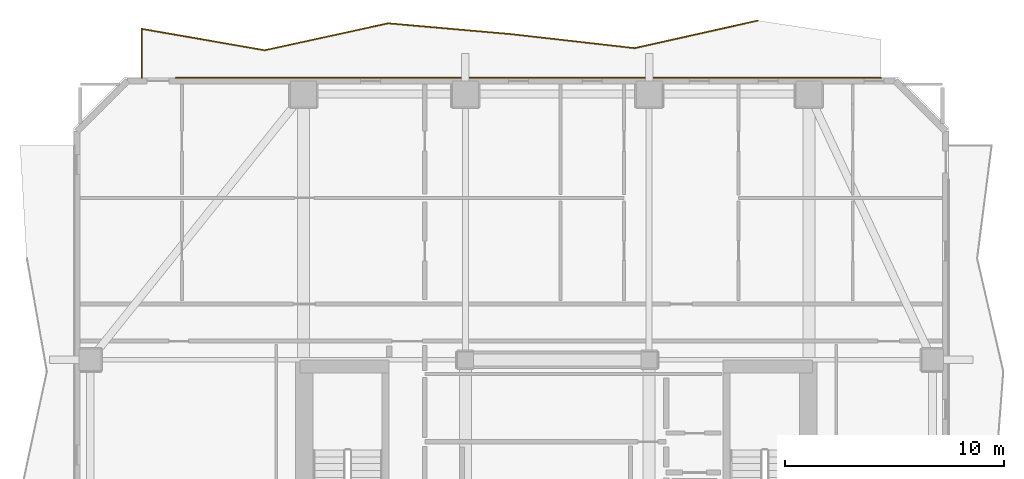
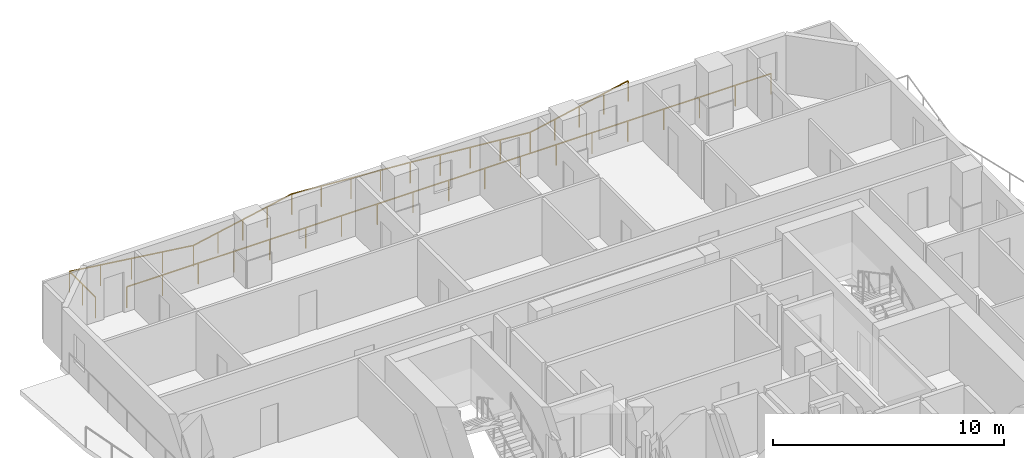
# One storey, part 11 of 11: 2 railings.
"""IFC4 building model written with IfcOpenShell, lengths in metres."""

from ifc_helpers import new_model, si_unit, direction, frame, origin, origin_2d, place, context, subcontext, project, spatial, rectangle, extrude, material, type_object, element, save


model = new_model("IFC4")

# Units and contexts
model_context = context("Model", 3, precision=1e-05, world=origin(), true_north=direction((0.0, 1.0)))
body_context = subcontext(model_context, "Body", "Model", "MODEL_VIEW")
ifc_project = project(units=[si_unit("LENGTHUNIT", "METRE"), si_unit("AREAUNIT", "SQUARE_METRE"), si_unit("VOLUMEUNIT", "CUBIC_METRE"), si_unit("PLANEANGLEUNIT", "RADIAN"), si_unit("MASSUNIT", "GRAM", prefix="KILO")], contexts=[model_context])

# Site, building, storey
site_placement = place(None, origin())
site = spatial("IfcSite", under=ifc_project, at=site_placement, CompositionType="ELEMENT")
building_placement = place(site_placement, origin())
building = spatial("IfcBuilding", under=site, at=building_placement, Name="Solanera Arch Residences", CompositionType="ELEMENT")
storey_placement = place(building_placement, frame((0.0, 0.0, 180.199951171875)))
storey = spatial("IfcBuildingStorey", under=building, at=storey_placement, Name="L52", CompositionType="ELEMENT", Elevation=180.199951171875)

# Railings
ifc_material = material(Name="Steel S355 (ASTM A992 / A572 Grade 50)", Category="steel")
railing_type = type_object("IfcRailingType", Name="Balustrade Railing BL-1100", PredefinedType="BALUSTRADE", material=ifc_material)
railing_1_placement = place(storey_placement, frame((34.1669921875, 54.906005859375, 0.0)))
element("IfcRailing", 1, at=railing_1_placement, inside=storey, type_object=railing_type, Name="L52 N Balcony Balustrade 1", PredefinedType="BALUSTRADE", context=body_context, shape_type="SweptSolid", body=[
    extrude(rectangle(XDim=0.048095703125, YDim=0.048095703125, at=origin_2d()), frame((0.0, 0.0, 1.09619140625), z_axis=(-0.975856594245, -0.218412242028, 0.0), x_axis=(0.218412242028, -0.975856594245, 0.0)), (0.0, 0.0, 1.0), 5.7734375),
    extrude(rectangle(XDim=0.048095703125, YDim=0.048095703125, at=origin_2d()), frame((-5.634033203125, -1.260986328125, 1.09619140625), z_axis=(-0.993590423453, 0.113040127489, 0.0), x_axis=(-0.113040127489, -0.993590423453, 0.0)), (0.0, 0.0, 1.0), 5.66943359375),
    extrude(rectangle(XDim=0.048095703125, YDim=0.048095703125, at=origin_2d()), frame((-11.26708984375, -0.6201171875, 1.09619140625), z_axis=(-0.99617419642, 0.087389761336, 0.0), x_axis=(-0.087389761336, -0.99617419642, 0.0)), (0.0, 0.0, 1.0), 5.654541015625),
    extrude(rectangle(XDim=0.048095703125, YDim=0.048095703125, at=origin_2d()), frame((-16.89990234375, -0.1259765625, 1.09619140625), z_axis=(-0.976918517159, -0.213612290921, 0.0), x_axis=(0.213612290921, -0.976918517159, 0.0)), (0.0, 0.0, 1.0), 5.76708984375),
    extrude(rectangle(XDim=0.048095703125, YDim=0.048095703125, at=origin_2d()), frame((-22.533935546875, -1.35791015625, 1.09619140625), z_axis=(-0.985173497857, 0.171561006995, 0.0), x_axis=(-0.171561006995, -0.985173497857, 0.0)), (0.0, 0.0, 1.0), 5.7177734375),
    extrude(rectangle(XDim=0.048095703125, YDim=0.048095703125, at=origin_2d()), frame((-28.1669921875, -0.376953125, 1.09619140625), z_axis=(0.0, -1.0, 0.0), x_axis=(1.0, 0.0, 0.0)), (0.0, 0.0, 1.0), 2.2490234375),
    extrude(rectangle(XDim=0.0419921875, YDim=0.0419921875, at=origin_2d()), origin(), (0.0, 0.0, 1.0), 1.072021484375),
    extrude(rectangle(XDim=0.0419921875, YDim=0.0419921875, at=origin_2d()), frame((-1.408447265625, -0.315185546875, 0.0)), (0.0, 0.0, 1.0), 1.072021484375),
    extrude(rectangle(XDim=0.0419921875, YDim=0.0419921875, at=origin_2d()), frame((-2.81689453125, -0.63037109375, 0.0)), (0.0, 0.0, 1.0), 1.072021484375),
    extrude(rectangle(XDim=0.0419921875, YDim=0.0419921875, at=origin_2d()), frame((-4.2255859375, -0.94580078125, 0.0)), (0.0, 0.0, 1.0), 1.072021484375),
    extrude(rectangle(XDim=0.0419921875, YDim=0.0419921875, at=origin_2d()), frame((-5.634033203125, -1.260986328125, 0.0)), (0.0, 0.0, 1.0), 1.072021484375),
    extrude(rectangle(XDim=0.0419921875, YDim=0.0419921875, at=origin_2d()), frame((-7.042236328125, -1.100830078125, 0.0)), (0.0, 0.0, 1.0), 1.072021484375),
    extrude(rectangle(XDim=0.0419921875, YDim=0.0419921875, at=origin_2d()), frame((-8.45068359375, -0.9404296875, 0.0)), (0.0, 0.0, 1.0), 1.072021484375),
    extrude(rectangle(XDim=0.0419921875, YDim=0.0419921875, at=origin_2d()), frame((-9.85888671875, -0.7802734375, 0.0)), (0.0, 0.0, 1.0), 1.072021484375),
    extrude(rectangle(XDim=0.0419921875, YDim=0.0419921875, at=origin_2d()), frame((-11.26708984375, -0.6201171875, 0.0)), (0.0, 0.0, 1.0), 1.072021484375),
    extrude(rectangle(XDim=0.0419921875, YDim=0.0419921875, at=origin_2d()), frame((-12.67529296875, -0.49658203125, 0.0)), (0.0, 0.0, 1.0), 1.072021484375),
    extrude(rectangle(XDim=0.0419921875, YDim=0.0419921875, at=origin_2d()), frame((-14.08349609375, -0.373046875, 0.0)), (0.0, 0.0, 1.0), 1.072021484375),
    extrude(rectangle(XDim=0.0419921875, YDim=0.0419921875, at=origin_2d()), frame((-15.49169921875, -0.24951171875, 0.0)), (0.0, 0.0, 1.0), 1.072021484375),
    extrude(rectangle(XDim=0.0419921875, YDim=0.0419921875, at=origin_2d()), frame((-16.89990234375, -0.1259765625, 0.0)), (0.0, 0.0, 1.0), 1.072021484375),
    extrude(rectangle(XDim=0.0419921875, YDim=0.0419921875, at=origin_2d()), frame((-18.308349609375, -0.43408203125, 0.0)), (0.0, 0.0, 1.0), 1.072021484375),
    extrude(rectangle(XDim=0.0419921875, YDim=0.0419921875, at=origin_2d()), frame((-19.716796875, -0.741943359375, 0.0)), (0.0, 0.0, 1.0), 1.072021484375),
    extrude(rectangle(XDim=0.0419921875, YDim=0.0419921875, at=origin_2d()), frame((-21.12548828125, -1.0498046875, 0.0)), (0.0, 0.0, 1.0), 1.072021484375),
    extrude(rectangle(XDim=0.0419921875, YDim=0.0419921875, at=origin_2d()), frame((-22.533935546875, -1.35791015625, 0.0)), (0.0, 0.0, 1.0), 1.072021484375),
    extrude(rectangle(XDim=0.0419921875, YDim=0.0419921875, at=origin_2d()), frame((-23.942138671875, -1.11279296875, 0.0)), (0.0, 0.0, 1.0), 1.072021484375),
    extrude(rectangle(XDim=0.0419921875, YDim=0.0419921875, at=origin_2d()), frame((-25.3505859375, -0.867431640625, 0.0)), (0.0, 0.0, 1.0), 1.072021484375),
    extrude(rectangle(XDim=0.0419921875, YDim=0.0419921875, at=origin_2d()), frame((-26.7587890625, -0.6220703125, 0.0)), (0.0, 0.0, 1.0), 1.072021484375),
    extrude(rectangle(XDim=0.0419921875, YDim=0.0419921875, at=origin_2d()), frame((-28.1669921875, -0.376953125, 0.0)), (0.0, 0.0, 1.0), 1.072021484375),
    extrude(rectangle(XDim=0.0419921875, YDim=0.0419921875, at=origin_2d()), frame((-28.1669921875, -1.50146484375, 0.0)), (0.0, 0.0, 1.0), 1.072021484375),
    extrude(rectangle(XDim=0.0419921875, YDim=0.0419921875, at=origin_2d()), frame((-28.1669921875, -2.6259765625, 0.0)), (0.0, 0.0, 1.0), 1.072021484375),
])
railing_2_placement = place(storey_placement, frame((7.55908203125, 52.280029296875, 0.0)))
element("IfcRailing", 2, at=railing_2_placement, inside=storey, type_object=railing_type, Name="L52 N Balcony Balustrade 2", PredefinedType="BALUSTRADE", context=body_context, shape_type="SweptSolid", body=[
    extrude(rectangle(XDim=0.048095703125, YDim=0.048095703125, at=origin_2d()), frame((0.0, 0.0, 1.09619140625), z_axis=(1.0, 0.0, 0.0), x_axis=(0.0, 1.0, 0.0)), (0.0, 0.0, 1.0), 32.240966796875),
    extrude(rectangle(XDim=0.0419921875, YDim=0.0419921875, at=origin_2d()), origin(), (0.0, 0.0, 1.0), 1.072021484375),
    extrude(rectangle(XDim=0.0419921875, YDim=0.0419921875, at=origin_2d()), frame((1.791259765625, 0.0, 0.0)), (0.0, 0.0, 1.0), 1.072021484375),
    extrude(rectangle(XDim=0.0419921875, YDim=0.0419921875, at=origin_2d()), frame((3.582275390625, 0.0, 0.0)), (0.0, 0.0, 1.0), 1.072021484375),
    extrude(rectangle(XDim=0.0419921875, YDim=0.0419921875, at=origin_2d()), frame((5.37353515625, 0.0, 0.0)), (0.0, 0.0, 1.0), 1.072021484375),
    extrude(rectangle(XDim=0.0419921875, YDim=0.0419921875, at=origin_2d()), frame((7.16455078125, 0.0, 0.0)), (0.0, 0.0, 1.0), 1.072021484375),
    extrude(rectangle(XDim=0.0419921875, YDim=0.0419921875, at=origin_2d()), frame((8.955810546875, 0.0, 0.0)), (0.0, 0.0, 1.0), 1.072021484375),
    extrude(rectangle(XDim=0.0419921875, YDim=0.0419921875, at=origin_2d()), frame((10.7470703125, 0.0, 0.0)), (0.0, 0.0, 1.0), 1.072021484375),
    extrude(rectangle(XDim=0.0419921875, YDim=0.0419921875, at=origin_2d()), frame((12.5380859375, 0.0, 0.0)), (0.0, 0.0, 1.0), 1.072021484375),
    extrude(rectangle(XDim=0.0419921875, YDim=0.0419921875, at=origin_2d()), frame((14.329345703125, 0.0, 0.0)), (0.0, 0.0, 1.0), 1.072021484375),
    extrude(rectangle(XDim=0.0419921875, YDim=0.0419921875, at=origin_2d()), frame((16.12060546875, 0.0, 0.0)), (0.0, 0.0, 1.0), 1.072021484375),
    extrude(rectangle(XDim=0.0419921875, YDim=0.0419921875, at=origin_2d()), frame((17.91162109375, 0.0, 0.0)), (0.0, 0.0, 1.0), 1.072021484375),
    extrude(rectangle(XDim=0.0419921875, YDim=0.0419921875, at=origin_2d()), frame((19.702880859375, 0.0, 0.0)), (0.0, 0.0, 1.0), 1.072021484375),
    extrude(rectangle(XDim=0.0419921875, YDim=0.0419921875, at=origin_2d()), frame((21.493896484375, 0.0, 0.0)), (0.0, 0.0, 1.0), 1.072021484375),
    extrude(rectangle(XDim=0.0419921875, YDim=0.0419921875, at=origin_2d()), frame((23.28515625, 0.0, 0.0)), (0.0, 0.0, 1.0), 1.072021484375),
    extrude(rectangle(XDim=0.0419921875, YDim=0.0419921875, at=origin_2d()), frame((25.076416015625, 0.0, 0.0)), (0.0, 0.0, 1.0), 1.072021484375),
    extrude(rectangle(XDim=0.0419921875, YDim=0.0419921875, at=origin_2d()), frame((26.867431640625, 0.0, 0.0)), (0.0, 0.0, 1.0), 1.072021484375),
    extrude(rectangle(XDim=0.0419921875, YDim=0.0419921875, at=origin_2d()), frame((28.65869140625, 0.0, 0.0)), (0.0, 0.0, 1.0), 1.072021484375),
    extrude(rectangle(XDim=0.0419921875, YDim=0.0419921875, at=origin_2d()), frame((30.44970703125, 0.0, 0.0)), (0.0, 0.0, 1.0), 1.072021484375),
    extrude(rectangle(XDim=0.0419921875, YDim=0.0419921875, at=origin_2d()), frame((32.240966796875, 0.0, 0.0)), (0.0, 0.0, 1.0), 1.072021484375),
])

save(model, "model.ifc")
